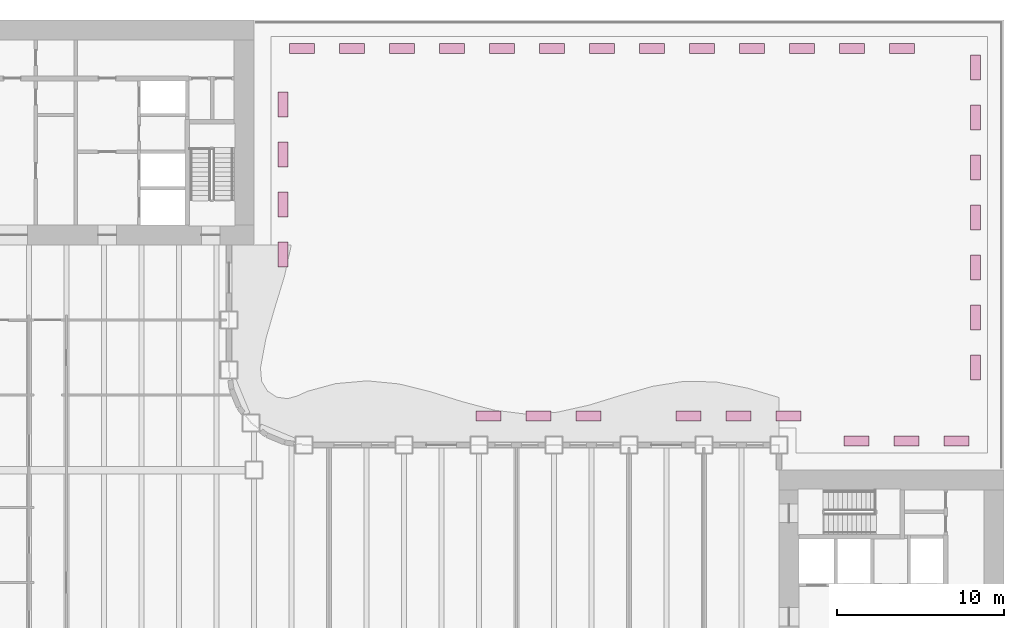
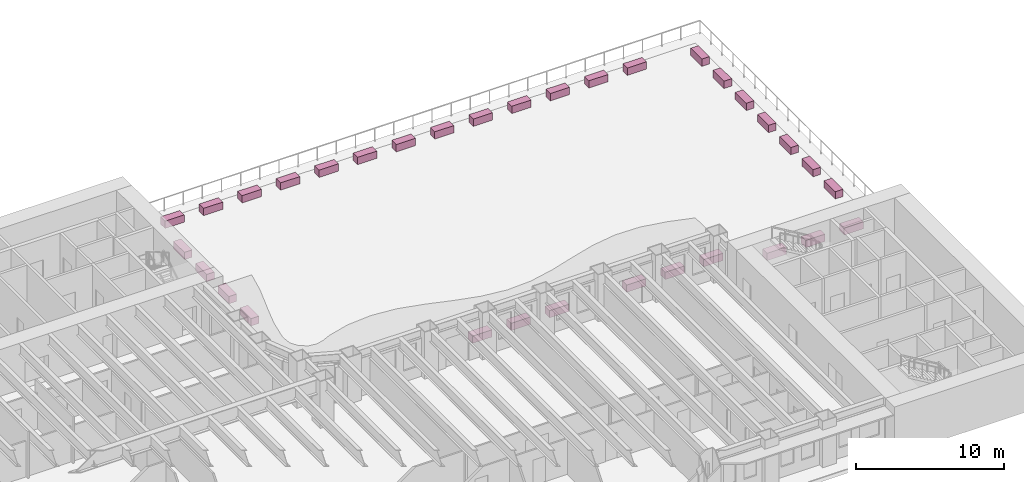
# One storey, part 18 of 18: 33 furniture elements.
"""IFC4 building model written with IfcOpenShell, lengths in metres."""

from ifc_helpers import new_model, si_unit, direction, frame, origin, origin_2d, place, context, subcontext, project, spatial, rectangle, extrude, material, type_object, element, save


model = new_model("IFC4")

# Units and contexts
model_context = context("Model", 3, precision=1e-05, world=origin(), true_north=direction((0.0, 1.0)))
body_context = subcontext(model_context, "Body", "Model", "MODEL_VIEW")
ifc_project = project(units=[si_unit("LENGTHUNIT", "METRE"), si_unit("AREAUNIT", "SQUARE_METRE"), si_unit("VOLUMEUNIT", "CUBIC_METRE"), si_unit("PLANEANGLEUNIT", "RADIAN"), si_unit("MASSUNIT", "GRAM", prefix="KILO")], contexts=[model_context])

# Site, building, storey
site_placement = place(None, origin())
site = spatial("IfcSite", under=ifc_project, at=site_placement, CompositionType="ELEMENT")
building_placement = place(site_placement, origin())
building = spatial("IfcBuilding", under=site, at=building_placement, Name="Sennacour Bend Tower", CompositionType="ELEMENT")
storey_placement = place(building_placement, frame((0.0, 0.0, 29.0)))
storey = spatial("IfcBuildingStorey", under=building, at=storey_placement, Name="L05", CompositionType="ELEMENT", Elevation=29.0)

# Furniture
ifc_material = material(Name="Planting soil with planting")
furniture_type = type_object("IfcFurnitureType", Name="PL-PLANTER-1500", AssemblyPlace="NOTDEFINED", PredefinedType="USERDEFINED", material=ifc_material)
for number, where, z_axis, x_axis, name in (
    (1, (24.22998046875, 35.419921875, 0.030029296875), (0.0, 0.0, 1.0), (0.0, 1.0, 0.0), "Planter"),
    (2, (24.22998046875, 38.419921875, 0.030029296875), (0.0, 0.0, 1.0), (0.0, 1.0, 0.0), "Planter"),
    (3, (24.22998046875, 41.419921875, 0.030029296875), (0.0, 0.0, 1.0), (0.0, 1.0, 0.0), "Planter"),
    (4, (24.22998046875, 44.419921875, 0.030029296875), (0.0, 0.0, 1.0), (0.0, 1.0, 0.0), "Planter"),
    (5, (25.3798828125, 47.800048828125, 0.030029296875), (0.0, 0.0, 1.0), (1.0, 0.0, 0.0), "Planter"),
    (6, (28.3798828125, 47.800048828125, 0.030029296875), (0.0, 0.0, 1.0), (1.0, 0.0, 0.0), "Planter"),
    (7, (31.3798828125, 47.800048828125, 0.030029296875), (0.0, 0.0, 1.0), (1.0, 0.0, 0.0), "Planter"),
    (8, (34.3798828125, 47.800048828125, 0.030029296875), (0.0, 0.0, 1.0), (1.0, 0.0, 0.0), "Planter"),
    (9, (37.3798828125, 47.800048828125, 0.030029296875), (0.0, 0.0, 1.0), (1.0, 0.0, 0.0), "Planter"),
    (10, (40.3798828125, 47.800048828125, 0.030029296875), (0.0, 0.0, 1.0), (1.0, 0.0, 0.0), "Planter"),
    (11, (43.3798828125, 47.800048828125, 0.030029296875), (0.0, 0.0, 1.0), (1.0, 0.0, 0.0), "Planter"),
    (12, (46.3798828125, 47.800048828125, 0.030029296875), (0.0, 0.0, 1.0), (1.0, 0.0, 0.0), "Planter"),
    (13, (49.3798828125, 47.800048828125, 0.030029296875), (0.0, 0.0, 1.0), (1.0, 0.0, 0.0), "Planter"),
    (14, (52.3798828125, 47.800048828125, 0.030029296875), (0.0, 0.0, 1.0), (1.0, 0.0, 0.0), "Planter"),
    (15, (55.3798828125, 47.800048828125, 0.030029296875), (0.0, 0.0, 1.0), (1.0, 0.0, 0.0), "Planter"),
    (16, (58.3798828125, 47.800048828125, 0.030029296875), (0.0, 0.0, 1.0), (1.0, 0.0, 0.0), "Planter"),
    (17, (61.3798828125, 47.800048828125, 0.030029296875), (0.0, 0.0, 1.0), (1.0, 0.0, 0.0), "Planter"),
    (18, (65.800048828125, 46.64990234375, 0.030029296875), (0.0, 0.0, 1.0), (0.0, -1.0, 0.0), "Planter"),
    (19, (65.800048828125, 43.64990234375, 0.030029296875), (0.0, 0.0, 1.0), (0.0, -1.0, 0.0), "Planter"),
    (20, (65.800048828125, 40.64990234375, 0.030029296875), (0.0, 0.0, 1.0), (0.0, -1.0, 0.0), "Planter"),
    (21, (65.800048828125, 37.64990234375, 0.030029296875), (0.0, 0.0, 1.0), (0.0, -1.0, 0.0), "Planter"),
    (22, (65.800048828125, 34.64990234375, 0.030029296875), (0.0, 0.0, 1.0), (0.0, -1.0, 0.0), "Planter"),
    (23, (65.800048828125, 31.64990234375, 0.030029296875), (0.0, 0.0, 1.0), (0.0, -1.0, 0.0), "Planter"),
    (24, (65.800048828125, 28.64990234375, 0.030029296875), (0.0, 0.0, 1.0), (0.0, -1.0, 0.0), "Planter"),
    (25, (64.64990234375, 24.22998046875, 0.030029296875), (0.0, 0.0, 1.0), (-1.0, 0.0, 0.0), "Planter"),
    (26, (61.64990234375, 24.22998046875, 0.030029296875), (0.0, 0.0, 1.0), (-1.0, 0.0, 0.0), "Planter"),
    (27, (58.64990234375, 24.22998046875, 0.030029296875), (0.0, 0.0, 1.0), (-1.0, 0.0, 0.0), "Planter"),
    (28, (54.580078125, 25.72998046875, 0.030029296875), (0.0, 0.0, 1.0), (-1.0, 0.0, 0.0), "Planter"),
    (29, (51.580078125, 25.72998046875, 0.030029296875), (0.0, 0.0, 1.0), (-1.0, 0.0, 0.0), "Planter"),
    (30, (48.580078125, 25.72998046875, 0.030029296875), (0.0, 0.0, 1.0), (-1.0, 0.0, 0.0), "Planter"),
    (31, (42.580078125, 25.72998046875, 0.030029296875), (0.0, 0.0, 1.0), (-1.0, 0.0, 0.0), "Planter"),
    (32, (39.580078125, 25.72998046875, 0.030029296875), (0.0, 0.0, 1.0), (-1.0, 0.0, 0.0), "Planter"),
    (33, (36.580078125, 25.72998046875, 0.030029296875), (0.0, 0.0, 1.0), (-1.0, 0.0, 0.0), "Planter"),
):
    element("IfcFurniture", number, at=place(storey_placement, frame(where, z_axis=z_axis, x_axis=x_axis)), inside=storey, type_object=furniture_type, Name=name, ObjectType="PLANTER", PredefinedType="USERDEFINED", context=body_context, shape_type="SweptSolid", body=[
        extrude(rectangle(XDim=1.5, YDim=0.60009765625, at=origin_2d()), origin(), (0.0, 0.0, 1.0), 0.60009765625),
    ])

save(model, "model.ifc")
